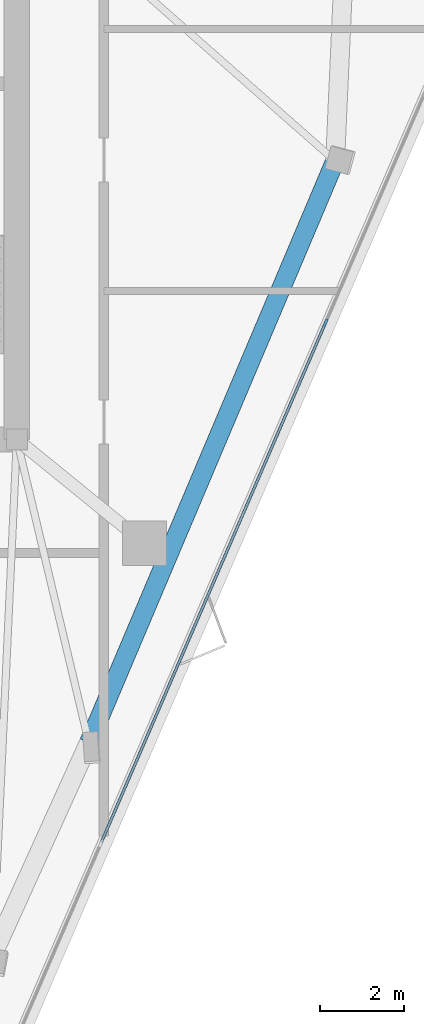
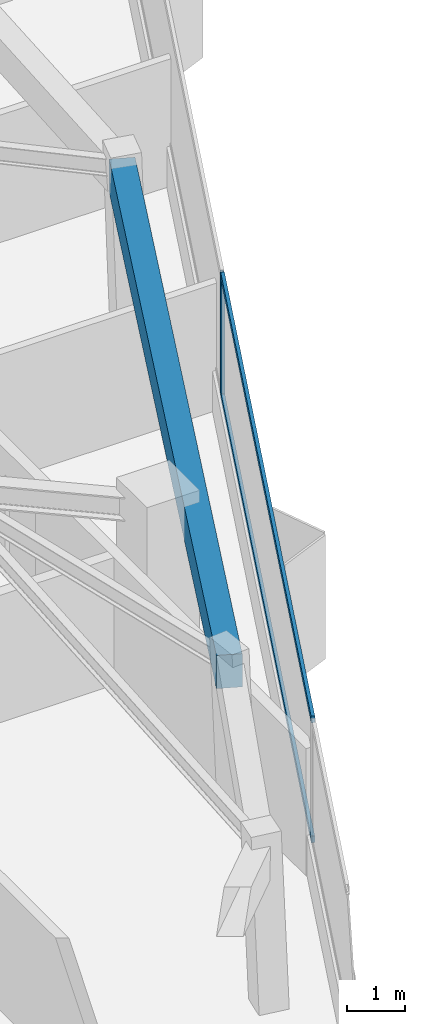
# One storey, part 3 of 9: 3 members, 1 beam, 1 element without a shape of its own.
"""IFC4 building model written with IfcOpenShell, lengths in metres."""

from ifc_helpers import new_model, si_unit, direction, frame, origin, origin_2d, place, context, subcontext, project, spatial, rectangle, extrude, material, layer, layer_set, material_profile, profile_set, type_object, element, aggregate, save


model = new_model("IFC4")

# Units and contexts
model_context = context("Model", 3, precision=1e-05, world=origin(), true_north=direction((0.0, 1.0)))
body_context = subcontext(model_context, "Body", "Model", "MODEL_VIEW")
ifc_project = project(units=[si_unit("LENGTHUNIT", "METRE"), si_unit("AREAUNIT", "SQUARE_METRE"), si_unit("VOLUMEUNIT", "CUBIC_METRE"), si_unit("PLANEANGLEUNIT", "RADIAN"), si_unit("MASSUNIT", "GRAM", prefix="KILO")], contexts=[model_context])

# Site, building, storey
site_placement = place(None, origin())
site = spatial("IfcSite", under=ifc_project, at=site_placement, CompositionType="ELEMENT")
building_placement = place(site_placement, origin())
building = spatial("IfcBuilding", under=site, at=building_placement, Name="Talyreon Biosciences Tower", CompositionType="ELEMENT")
storey_placement = place(building_placement, frame((0.0, 0.0, 298.39990234375)))
storey = spatial("IfcBuildingStorey", under=building, at=storey_placement, Name="L79", CompositionType="ELEMENT", Elevation=298.39990234375)

# Curtain wall, members
ifc_material_1 = material(Name="Thermally broken aluminium and low-E glazing", Category="aluminium")
ifc_layer = layer(ifc_material_1, 0.175048828125)
ifc_layer_set = layer_set([ifc_layer], Name="Thermally broken aluminium and low-E glazing")
curtain_wall_type = type_object("IfcCurtainWallType", Name="CurtainWall_Zone5CompLab", PredefinedType="NOTDEFINED", material=ifc_layer_set)
curtain_wall_placement = place(storey_placement, origin())
curtain_wall = element("IfcCurtainWall", 1, at=curtain_wall_placement, inside=storey, type_object=curtain_wall_type, Name="L79 Unitised Curtain Wall FCW-L79-08", PredefinedType="NOTDEFINED")
ifc_material_2 = material(Name="Anodised thermally broken aluminium", Category="aluminium")
ifc_material_profile_1 = material_profile(ifc_material_2, rectangle(XDim=0.06494140625, YDim=0.179931640625, at=origin_2d()), Name="ALUM MULLION 65x180")
ifc_profile_set_1 = profile_set([ifc_material_profile_1], Name="Anodised thermally broken aluminium")
member_type_1 = type_object("IfcMemberType", Name="CWMullion_65x180", PredefinedType="MULLION", material=ifc_profile_set_1)
member_1_placement = place(storey_placement, frame((81.39599609375, 64.1279296875, 0.81005859375), z_axis=(0.0, 0.0, 1.0), x_axis=(0.918187314575, -0.396146507437, 0.0)))
member_1 = element("IfcMember", 2, at=member_1_placement, type_object=member_type_1, Name="CW6 mullion 2", PredefinedType="MULLION", context=body_context, shape_type="SweptSolid", body=[
    extrude(rectangle(XDim=0.06494140625, YDim=0.179931640625, at=origin_2d()), origin(), (0.0, 0.0, 1.0), 2.590087890625),
])
ifc_material_profile_2 = material_profile(ifc_material_2, rectangle(XDim=0.06494140625, YDim=0.139892578125, at=origin_2d()), Name="ALUM TRANSOM 65x140")
ifc_profile_set_2 = profile_set([ifc_material_profile_2], Name="Anodised thermally broken aluminium")
member_type_2 = type_object("IfcMemberType", Name="CWTransom_65x140", PredefinedType="USERDEFINED", material=ifc_profile_set_2)
member_2_placement = place(storey_placement, frame((81.383056640625, 64.097900390625, 0.842529296875), z_axis=(-0.396140083642, -0.918190086056, 0.0), x_axis=(0.918190086056, -0.396140083642, 0.0)))
member_2 = element("IfcMember", 3, at=member_2_placement, type_object=member_type_2, Name="CW6 transom 2.1", ObjectType="TRANSOM", PredefinedType="USERDEFINED", context=body_context, shape_type="SweptSolid", body=[
    extrude(rectangle(XDim=0.06494140625, YDim=0.139892578125, at=origin_2d()), origin(), (0.0, 0.0, 1.0), 13.433349609375),
])
member_3_placement = place(storey_placement, frame((81.383056640625, 64.097900390625, 3.36767578125), z_axis=(-0.396140083642, -0.918190086056, 0.0), x_axis=(0.918190086056, -0.396140083642, 0.0)))
member_3 = element("IfcMember", 4, at=member_3_placement, type_object=member_type_2, Name="CW6 transom 2.2", ObjectType="TRANSOM", PredefinedType="USERDEFINED", context=body_context, shape_type="SweptSolid", body=[
    extrude(rectangle(XDim=0.06494140625, YDim=0.139892578125, at=origin_2d()), origin(), (0.0, 0.0, 1.0), 13.433349609375),
])
aggregate(curtain_wall, [member_1, member_2, member_3])

# Beam
ifc_material_3 = material(Name="Precast concrete C45/55", Category="concrete")
ifc_material_profile_3 = material_profile(ifc_material_3, rectangle(XDim=0.449951171875, YDim=0.699951171875, at=origin_2d()), Name="RCB 450x700")
ifc_profile_set_3 = profile_set([ifc_material_profile_3], Name="Precast concrete C45/55")
beam_type = type_object("IfcBeamType", Name="ExpressedSpandrel_450x700", PredefinedType="SPANDREL", material=ifc_profile_set_3)
beam_placement = place(storey_placement, frame((75.763916015625, 54.133056640625, 3.050048828125), z_axis=(0.389767101175, 0.920913463275, 0.0), x_axis=(-0.920913463275, 0.389767101175, 0.0)))
element("IfcBeam", 5, at=beam_placement, inside=storey, type_object=beam_type, Name="L79 Expressed Horizontal Concrete Spandrel 03", PredefinedType="SPANDREL", context=body_context, shape_type="SweptSolid", body=[
    extrude(rectangle(XDim=0.449951171875, YDim=0.699951171875, at=origin_2d()), origin(), (0.0, 0.0, 1.0), 15.037353515625),
])

save(model, "model.ifc")
